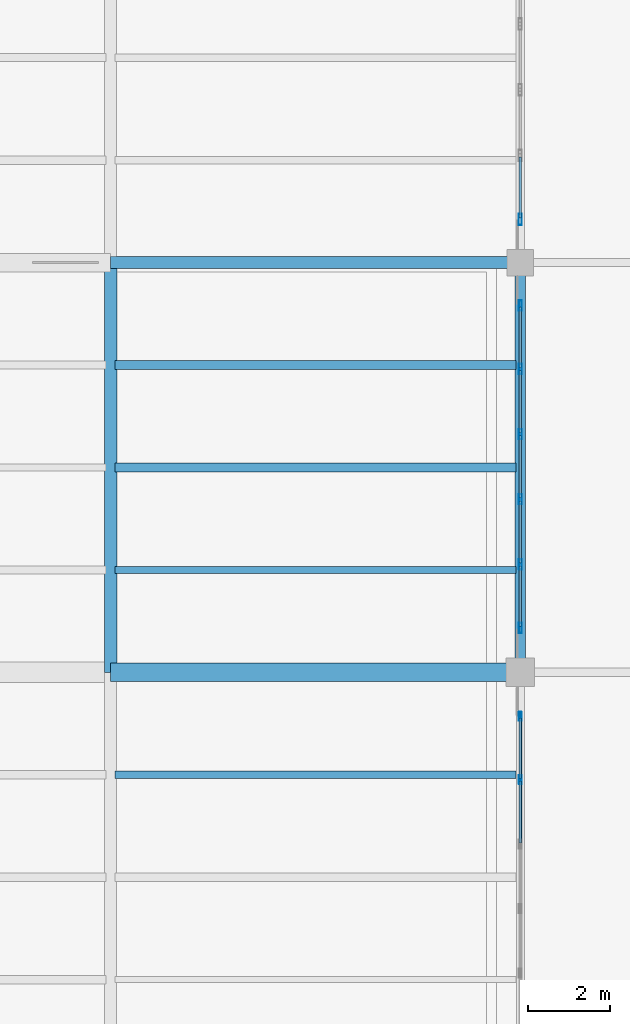
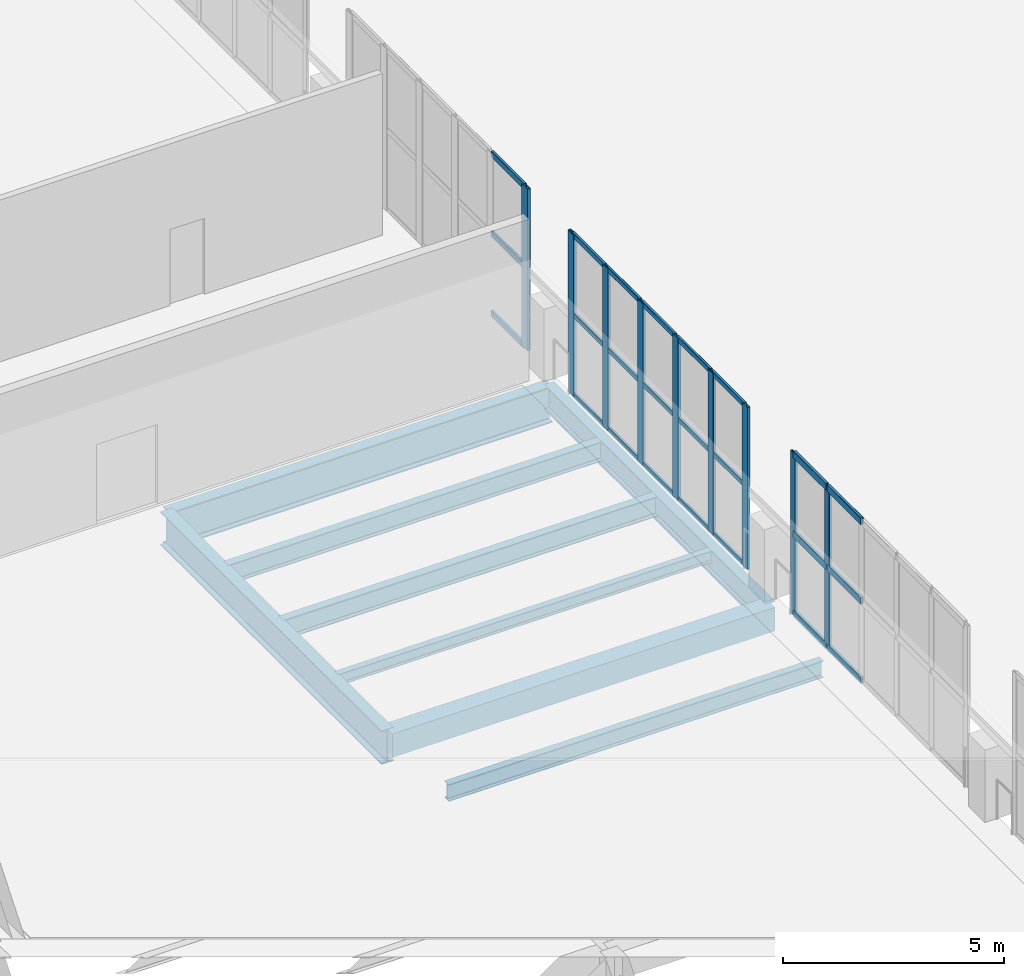
# One storey, part 75 of 136: 33 members, 8 beams, 3 elements without a shape of their own.
"""IFC4 building model written with IfcOpenShell, lengths in metres."""

from ifc_helpers import new_model, si_unit, direction, frame, origin, origin_2d, place, context, subcontext, project, spatial, rectangle, hollow_rectangle, i_section, extrude, material, layer, layer_set, material_profile, profile_set, type_object, element, aggregate, save


model = new_model("IFC4")

# Units and contexts
model_context = context("Model", 3, precision=1e-05, world=origin(), true_north=direction((0.0, 1.0)))
body_context = subcontext(model_context, "Body", "Model", "MODEL_VIEW")
ifc_project = project(units=[si_unit("LENGTHUNIT", "METRE"), si_unit("AREAUNIT", "SQUARE_METRE"), si_unit("VOLUMEUNIT", "CUBIC_METRE"), si_unit("PLANEANGLEUNIT", "RADIAN"), si_unit("MASSUNIT", "GRAM", prefix="KILO")], contexts=[model_context])

# Site, building, storey
site_placement = place(None, origin())
site = spatial("IfcSite", under=ifc_project, at=site_placement, CompositionType="ELEMENT")
building_placement = place(site_placement, origin())
building = spatial("IfcBuilding", under=site, at=building_placement, Name="Brinegate Civic Arena", CompositionType="ELEMENT")
storey_placement = place(building_placement, frame((0.0, 0.0, 5.39990234375)))
storey = spatial("IfcBuildingStorey", under=building, at=storey_placement, Name="L01", CompositionType="ELEMENT", Elevation=5.39990234375)

# Curtain wall, members
ifc_material_1 = material(Name="Marine grade aluminium", Category="aluminium")
ifc_layer = layer(ifc_material_1, 0.18505859375, Name="Marine grade aluminium")
ifc_layer_set = layer_set([ifc_layer], Name="Marine grade aluminium")
curtain_wall_type = type_object("IfcCurtainWallType", Name="CW-WING-GLAZED-03", PredefinedType="USERDEFINED", material=ifc_layer_set)
curtain_wall_1_placement = place(storey_placement, origin())
curtain_wall_1 = element("IfcCurtainWall", 1, at=curtain_wall_1_placement, inside=storey, type_object=curtain_wall_type, Name="Curtain Wall CWA-035", ObjectType="GLAZED CURTAIN WALL", PredefinedType="USERDEFINED")
ifc_material_profile_1 = material_profile(ifc_material_1, hollow_rectangle(XDim=0.06494140625, YDim=0.219970703125, WallThickness=0.006103515625, InnerFilletRadius=0.00390625, OuterFilletRadius=0.008056640625, at=origin_2d()), Name="MUL65X220")
ifc_profile_set_1 = profile_set([ifc_material_profile_1], Name="Marine grade aluminium")
member_type_1 = type_object("IfcMemberType", Name="CW-MULLION-65X220", PredefinedType="MULLION", material=ifc_profile_set_1)
member_1_placement = place(storey_placement, frame((190.0, 49.3798828125, 0.0), z_axis=(0.0, 0.0, 1.0), x_axis=(-1.0, 0.0, 0.0)))
member_1 = element("IfcMember", 2, at=member_1_placement, type_object=member_type_1, Name="CWA-035 mullion 5", PredefinedType="MULLION", context=body_context, shape_type="SweptSolid", body=[
    extrude(hollow_rectangle(XDim=0.06494140625, YDim=0.219970703125, WallThickness=0.006103515625, InnerFilletRadius=0.00390625, OuterFilletRadius=0.008056640625, at=origin_2d()), origin(), (0.0, 0.0, 1.0), 4.47021484375),
])
member_2_placement = place(storey_placement, frame((190.0, 50.922607421875, 0.0), z_axis=(0.0, 0.0, 1.0), x_axis=(-1.0, 0.0, 0.0)))
member_2 = element("IfcMember", 3, at=member_2_placement, type_object=member_type_1, Name="CWA-035 mullion 6", PredefinedType="MULLION", context=body_context, shape_type="SweptSolid", body=[
    extrude(hollow_rectangle(XDim=0.06494140625, YDim=0.219970703125, WallThickness=0.006103515625, InnerFilletRadius=0.00390625, OuterFilletRadius=0.008056640625, at=origin_2d()), origin(), (0.0, 0.0, 1.0), 4.47021484375),
])

curtain_wall_2_placement = place(storey_placement, origin())
curtain_wall_2 = element("IfcCurtainWall", 4, at=curtain_wall_2_placement, inside=storey, type_object=curtain_wall_type, Name="Curtain Wall CWA-036", ObjectType="GLAZED CURTAIN WALL", PredefinedType="USERDEFINED")
ifc_material_profile_2 = material_profile(ifc_material_1, hollow_rectangle(XDim=0.074951171875, YDim=0.25, WallThickness=0.006103515625, InnerFilletRadius=0.00390625, OuterFilletRadius=0.008056640625, at=origin_2d()), Name="MUL75X250")
ifc_profile_set_2 = profile_set([ifc_material_profile_2], Name="Marine grade aluminium")
member_type_2 = type_object("IfcMemberType", Name="CW-MULLION-75X250", PredefinedType="MULLION", material=ifc_profile_set_2)
member_3_placement = place(storey_placement, frame((190.0, 53.08251953125, 0.0), z_axis=(0.0, 0.0, 1.0), x_axis=(-1.0, 0.0, 0.0)))
member_3 = element("IfcMember", 5, at=member_3_placement, type_object=member_type_2, Name="CWA-036 mullion 1", PredefinedType="MULLION", context=body_context, shape_type="SweptSolid", body=[
    extrude(hollow_rectangle(XDim=0.074951171875, YDim=0.25, WallThickness=0.006103515625, InnerFilletRadius=0.00390625, OuterFilletRadius=0.008056640625, at=origin_2d()), origin(), (0.0, 0.0, 1.0), 4.47021484375),
])
member_4_placement = place(storey_placement, frame((190.0, 54.634033203125, 0.0), z_axis=(0.0, 0.0, 1.0), x_axis=(-1.0, 0.0, 0.0)))
member_4 = element("IfcMember", 6, at=member_4_placement, type_object=member_type_2, Name="CWA-036 mullion 2", PredefinedType="MULLION", context=body_context, shape_type="SweptSolid", body=[
    extrude(hollow_rectangle(XDim=0.074951171875, YDim=0.25, WallThickness=0.006103515625, InnerFilletRadius=0.00390625, OuterFilletRadius=0.008056640625, at=origin_2d()), origin(), (0.0, 0.0, 1.0), 4.47021484375),
])
member_5_placement = place(storey_placement, frame((190.0, 56.222900390625, 0.0), z_axis=(0.0, 0.0, 1.0), x_axis=(-1.0, 0.0, 0.0)))
member_5 = element("IfcMember", 7, at=member_5_placement, type_object=member_type_2, Name="CWA-036 mullion 3", PredefinedType="MULLION", context=body_context, shape_type="SweptSolid", body=[
    extrude(hollow_rectangle(XDim=0.074951171875, YDim=0.25, WallThickness=0.006103515625, InnerFilletRadius=0.00390625, OuterFilletRadius=0.008056640625, at=origin_2d()), origin(), (0.0, 0.0, 1.0), 4.47021484375),
])
member_6_placement = place(storey_placement, frame((190.0, 57.81201171875, 0.0), z_axis=(0.0, 0.0, 1.0), x_axis=(-1.0, 0.0, 0.0)))
member_6 = element("IfcMember", 8, at=member_6_placement, type_object=member_type_2, Name="CWA-036 mullion 4", PredefinedType="MULLION", context=body_context, shape_type="SweptSolid", body=[
    extrude(hollow_rectangle(XDim=0.074951171875, YDim=0.25, WallThickness=0.006103515625, InnerFilletRadius=0.00390625, OuterFilletRadius=0.008056640625, at=origin_2d()), origin(), (0.0, 0.0, 1.0), 4.47021484375),
])
member_7_placement = place(storey_placement, frame((190.0, 59.40087890625, 0.0), z_axis=(0.0, 0.0, 1.0), x_axis=(-1.0, 0.0, 0.0)))
member_7 = element("IfcMember", 9, at=member_7_placement, type_object=member_type_2, Name="CWA-036 mullion 5", PredefinedType="MULLION", context=body_context, shape_type="SweptSolid", body=[
    extrude(hollow_rectangle(XDim=0.074951171875, YDim=0.25, WallThickness=0.006103515625, InnerFilletRadius=0.00390625, OuterFilletRadius=0.008056640625, at=origin_2d()), origin(), (0.0, 0.0, 1.0), 4.47021484375),
])
member_8_placement = place(storey_placement, frame((190.0, 60.952392578125, 0.0), z_axis=(0.0, 0.0, 1.0), x_axis=(-1.0, 0.0, 0.0)))
member_8 = element("IfcMember", 10, at=member_8_placement, type_object=member_type_2, Name="CWA-036 mullion 6", PredefinedType="MULLION", context=body_context, shape_type="SweptSolid", body=[
    extrude(hollow_rectangle(XDim=0.074951171875, YDim=0.25, WallThickness=0.006103515625, InnerFilletRadius=0.00390625, OuterFilletRadius=0.008056640625, at=origin_2d()), origin(), (0.0, 0.0, 1.0), 4.47021484375),
])

# Curtain wall, member
curtain_wall_3_placement = place(storey_placement, origin())
curtain_wall_3 = element("IfcCurtainWall", 11, at=curtain_wall_3_placement, inside=storey, type_object=curtain_wall_type, Name="Curtain Wall CWA-037", ObjectType="GLAZED CURTAIN WALL", PredefinedType="USERDEFINED")
ifc_material_profile_3 = material_profile(ifc_material_1, hollow_rectangle(XDim=0.080078125, YDim=0.280029296875, WallThickness=0.007080078125, InnerFilletRadius=0.0048828125, OuterFilletRadius=0.010009765625, at=origin_2d()), Name="MUL80X280")
ifc_profile_set_3 = profile_set([ifc_material_profile_3], Name="Marine grade aluminium")
member_type_3 = type_object("IfcMemberType", Name="CW-MULLION-80X280", PredefinedType="MULLION", material=ifc_profile_set_3)
member_9_placement = place(storey_placement, frame((190.0, 63.050048828125, 0.0), z_axis=(0.0, 0.0, 1.0), x_axis=(-1.0, 0.0, 0.0)))
member_9 = element("IfcMember", 12, at=member_9_placement, type_object=member_type_3, Name="CWA-037 mullion 1", PredefinedType="MULLION", context=body_context, shape_type="SweptSolid", body=[
    extrude(hollow_rectangle(XDim=0.080078125, YDim=0.280029296875, WallThickness=0.007080078125, InnerFilletRadius=0.0048828125, OuterFilletRadius=0.010009765625, at=origin_2d()), origin(), (0.0, 0.0, 1.0), 4.47021484375),
])

# Member
ifc_material_profile_4 = material_profile(ifc_material_1, hollow_rectangle(XDim=0.06494140625, YDim=0.139892578125, WallThickness=0.0048828125, InnerFilletRadius=0.00390625, OuterFilletRadius=0.008056640625, at=origin_2d()), Name="TRN65X140")
ifc_profile_set_4 = profile_set([ifc_material_profile_4], Name="Marine grade aluminium")
member_type_4 = type_object("IfcMemberType", Name="CW-TRANSOM-65X140", PredefinedType="USERDEFINED", material=ifc_profile_set_4)
member_10_placement = place(storey_placement, frame((190.0, 53.1201171875, 0.03271484375), z_axis=(0.0, 1.0, 0.0), x_axis=(-1.0, 0.0, 0.0)))
member_10 = element("IfcMember", 13, at=member_10_placement, type_object=member_type_4, Name="CWA-036 transom 1.1", ObjectType="TRANSOM", PredefinedType="USERDEFINED", context=body_context, shape_type="SweptSolid", body=[
    extrude(hollow_rectangle(XDim=0.06494140625, YDim=0.139892578125, WallThickness=0.0048828125, InnerFilletRadius=0.00390625, OuterFilletRadius=0.008056640625, at=origin_2d()), origin(), (0.0, 0.0, 1.0), 1.476318359375),
])

member_11_placement = place(storey_placement, frame((190.0, 53.1201171875, 2.235107421875), z_axis=(0.0, 1.0, 0.0), x_axis=(-1.0, 0.0, 0.0)))
member_11 = element("IfcMember", 14, at=member_11_placement, type_object=member_type_4, Name="CWA-036 transom 1.2", ObjectType="TRANSOM", PredefinedType="USERDEFINED", context=body_context, shape_type="SweptSolid", body=[
    extrude(hollow_rectangle(XDim=0.06494140625, YDim=0.139892578125, WallThickness=0.0048828125, InnerFilletRadius=0.00390625, OuterFilletRadius=0.008056640625, at=origin_2d()), origin(), (0.0, 0.0, 1.0), 1.476318359375),
])

member_12_placement = place(storey_placement, frame((190.0, 53.1201171875, 4.4375), z_axis=(0.0, 1.0, 0.0), x_axis=(-1.0, 0.0, 0.0)))
member_12 = element("IfcMember", 15, at=member_12_placement, type_object=member_type_4, Name="CWA-036 transom 1.3", ObjectType="TRANSOM", PredefinedType="USERDEFINED", context=body_context, shape_type="SweptSolid", body=[
    extrude(hollow_rectangle(XDim=0.06494140625, YDim=0.139892578125, WallThickness=0.0048828125, InnerFilletRadius=0.00390625, OuterFilletRadius=0.008056640625, at=origin_2d()), origin(), (0.0, 0.0, 1.0), 1.476318359375),
])

member_13_placement = place(storey_placement, frame((190.0, 54.67138671875, 0.03271484375), z_axis=(0.0, 1.0, 0.0), x_axis=(-1.0, 0.0, 0.0)))
member_13 = element("IfcMember", 16, at=member_13_placement, type_object=member_type_4, Name="CWA-036 transom 2.1", ObjectType="TRANSOM", PredefinedType="USERDEFINED", context=body_context, shape_type="SweptSolid", body=[
    extrude(hollow_rectangle(XDim=0.06494140625, YDim=0.139892578125, WallThickness=0.0048828125, InnerFilletRadius=0.00390625, OuterFilletRadius=0.008056640625, at=origin_2d()), origin(), (0.0, 0.0, 1.0), 1.51416015625),
])

member_14_placement = place(storey_placement, frame((190.0, 54.67138671875, 2.235107421875), z_axis=(0.0, 1.0, 0.0), x_axis=(-1.0, 0.0, 0.0)))
member_14 = element("IfcMember", 17, at=member_14_placement, type_object=member_type_4, Name="CWA-036 transom 2.2", ObjectType="TRANSOM", PredefinedType="USERDEFINED", context=body_context, shape_type="SweptSolid", body=[
    extrude(hollow_rectangle(XDim=0.06494140625, YDim=0.139892578125, WallThickness=0.0048828125, InnerFilletRadius=0.00390625, OuterFilletRadius=0.008056640625, at=origin_2d()), origin(), (0.0, 0.0, 1.0), 1.51416015625),
])

member_15_placement = place(storey_placement, frame((190.0, 54.67138671875, 4.4375), z_axis=(0.0, 1.0, 0.0), x_axis=(-1.0, 0.0, 0.0)))
member_15 = element("IfcMember", 18, at=member_15_placement, type_object=member_type_4, Name="CWA-036 transom 2.3", ObjectType="TRANSOM", PredefinedType="USERDEFINED", context=body_context, shape_type="SweptSolid", body=[
    extrude(hollow_rectangle(XDim=0.06494140625, YDim=0.139892578125, WallThickness=0.0048828125, InnerFilletRadius=0.00390625, OuterFilletRadius=0.008056640625, at=origin_2d()), origin(), (0.0, 0.0, 1.0), 1.51416015625),
])

member_16_placement = place(storey_placement, frame((190.0, 56.260498046875, 0.03271484375), z_axis=(0.0, 1.0, 0.0), x_axis=(-1.0, 0.0, 0.0)))
member_16 = element("IfcMember", 19, at=member_16_placement, type_object=member_type_4, Name="CWA-036 transom 3.1", ObjectType="TRANSOM", PredefinedType="USERDEFINED", context=body_context, shape_type="SweptSolid", body=[
    extrude(hollow_rectangle(XDim=0.06494140625, YDim=0.139892578125, WallThickness=0.0048828125, InnerFilletRadius=0.00390625, OuterFilletRadius=0.008056640625, at=origin_2d()), origin(), (0.0, 0.0, 1.0), 1.513916015625),
])

member_17_placement = place(storey_placement, frame((190.0, 56.260498046875, 2.235107421875), z_axis=(0.0, 1.0, 0.0), x_axis=(-1.0, 0.0, 0.0)))
member_17 = element("IfcMember", 20, at=member_17_placement, type_object=member_type_4, Name="CWA-036 transom 3.2", ObjectType="TRANSOM", PredefinedType="USERDEFINED", context=body_context, shape_type="SweptSolid", body=[
    extrude(hollow_rectangle(XDim=0.06494140625, YDim=0.139892578125, WallThickness=0.0048828125, InnerFilletRadius=0.00390625, OuterFilletRadius=0.008056640625, at=origin_2d()), origin(), (0.0, 0.0, 1.0), 1.513916015625),
])

member_18_placement = place(storey_placement, frame((190.0, 56.260498046875, 4.4375), z_axis=(0.0, 1.0, 0.0), x_axis=(-1.0, 0.0, 0.0)))
member_18 = element("IfcMember", 21, at=member_18_placement, type_object=member_type_4, Name="CWA-036 transom 3.3", ObjectType="TRANSOM", PredefinedType="USERDEFINED", context=body_context, shape_type="SweptSolid", body=[
    extrude(hollow_rectangle(XDim=0.06494140625, YDim=0.139892578125, WallThickness=0.0048828125, InnerFilletRadius=0.00390625, OuterFilletRadius=0.008056640625, at=origin_2d()), origin(), (0.0, 0.0, 1.0), 1.513916015625),
])

member_19_placement = place(storey_placement, frame((190.0, 57.849609375, 0.03271484375), z_axis=(0.0, 1.0, 0.0), x_axis=(-1.0, 0.0, 0.0)))
member_19 = element("IfcMember", 22, at=member_19_placement, type_object=member_type_4, Name="CWA-036 transom 4.1", ObjectType="TRANSOM", PredefinedType="USERDEFINED", context=body_context, shape_type="SweptSolid", body=[
    extrude(hollow_rectangle(XDim=0.06494140625, YDim=0.139892578125, WallThickness=0.0048828125, InnerFilletRadius=0.00390625, OuterFilletRadius=0.008056640625, at=origin_2d()), origin(), (0.0, 0.0, 1.0), 1.513916015625),
])

member_20_placement = place(storey_placement, frame((190.0, 57.849609375, 2.235107421875), z_axis=(0.0, 1.0, 0.0), x_axis=(-1.0, 0.0, 0.0)))
member_20 = element("IfcMember", 23, at=member_20_placement, type_object=member_type_4, Name="CWA-036 transom 4.2", ObjectType="TRANSOM", PredefinedType="USERDEFINED", context=body_context, shape_type="SweptSolid", body=[
    extrude(hollow_rectangle(XDim=0.06494140625, YDim=0.139892578125, WallThickness=0.0048828125, InnerFilletRadius=0.00390625, OuterFilletRadius=0.008056640625, at=origin_2d()), origin(), (0.0, 0.0, 1.0), 1.513916015625),
])

member_21_placement = place(storey_placement, frame((190.0, 57.849609375, 4.4375), z_axis=(0.0, 1.0, 0.0), x_axis=(-1.0, 0.0, 0.0)))
member_21 = element("IfcMember", 24, at=member_21_placement, type_object=member_type_4, Name="CWA-036 transom 4.3", ObjectType="TRANSOM", PredefinedType="USERDEFINED", context=body_context, shape_type="SweptSolid", body=[
    extrude(hollow_rectangle(XDim=0.06494140625, YDim=0.139892578125, WallThickness=0.0048828125, InnerFilletRadius=0.00390625, OuterFilletRadius=0.008056640625, at=origin_2d()), origin(), (0.0, 0.0, 1.0), 1.513916015625),
])

member_22_placement = place(storey_placement, frame((190.0, 59.4384765625, 0.03271484375), z_axis=(0.0, 1.0, 0.0), x_axis=(-1.0, 0.0, 0.0)))
member_22 = element("IfcMember", 25, at=member_22_placement, type_object=member_type_4, Name="CWA-036 transom 5.1", ObjectType="TRANSOM", PredefinedType="USERDEFINED", context=body_context, shape_type="SweptSolid", body=[
    extrude(hollow_rectangle(XDim=0.06494140625, YDim=0.139892578125, WallThickness=0.0048828125, InnerFilletRadius=0.00390625, OuterFilletRadius=0.008056640625, at=origin_2d()), origin(), (0.0, 0.0, 1.0), 1.4765625),
])

member_23_placement = place(storey_placement, frame((190.0, 59.4384765625, 2.235107421875), z_axis=(0.0, 1.0, 0.0), x_axis=(-1.0, 0.0, 0.0)))
member_23 = element("IfcMember", 26, at=member_23_placement, type_object=member_type_4, Name="CWA-036 transom 5.2", ObjectType="TRANSOM", PredefinedType="USERDEFINED", context=body_context, shape_type="SweptSolid", body=[
    extrude(hollow_rectangle(XDim=0.06494140625, YDim=0.139892578125, WallThickness=0.0048828125, InnerFilletRadius=0.00390625, OuterFilletRadius=0.008056640625, at=origin_2d()), origin(), (0.0, 0.0, 1.0), 1.4765625),
])

member_24_placement = place(storey_placement, frame((190.0, 59.4384765625, 4.4375), z_axis=(0.0, 1.0, 0.0), x_axis=(-1.0, 0.0, 0.0)))
member_24 = element("IfcMember", 27, at=member_24_placement, type_object=member_type_4, Name="CWA-036 transom 5.3", ObjectType="TRANSOM", PredefinedType="USERDEFINED", context=body_context, shape_type="SweptSolid", body=[
    extrude(hollow_rectangle(XDim=0.06494140625, YDim=0.139892578125, WallThickness=0.0048828125, InnerFilletRadius=0.00390625, OuterFilletRadius=0.008056640625, at=origin_2d()), origin(), (0.0, 0.0, 1.0), 1.4765625),
])

aggregate(curtain_wall_2, [member_3, member_4, member_5, member_6, member_7, member_8, member_10, member_11, member_12, member_13, member_14, member_15, member_16, member_17, member_18, member_19, member_20, member_21, member_22, member_23, member_24])

ifc_material_profile_5 = material_profile(ifc_material_1, hollow_rectangle(XDim=0.06494140625, YDim=0.1650390625, WallThickness=0.0048828125, InnerFilletRadius=0.00390625, OuterFilletRadius=0.008056640625, at=origin_2d()), Name="TRN65X165")
ifc_profile_set_5 = profile_set([ifc_material_profile_5], Name="Marine grade aluminium")
member_type_5 = type_object("IfcMemberType", Name="CW-TRANSOM-65X165", PredefinedType="USERDEFINED", material=ifc_profile_set_5)
member_25_placement = place(storey_placement, frame((190.0, 63.090087890625, 0.03271484375), z_axis=(0.0, 1.0, 0.0), x_axis=(-1.0, 0.0, 0.0)))
member_25 = element("IfcMember", 28, at=member_25_placement, type_object=member_type_5, Name="CWA-037 transom 1.1", ObjectType="TRANSOM", PredefinedType="USERDEFINED", context=body_context, shape_type="SweptSolid", body=[
    extrude(hollow_rectangle(XDim=0.06494140625, YDim=0.1650390625, WallThickness=0.0048828125, InnerFilletRadius=0.00390625, OuterFilletRadius=0.008056640625, at=origin_2d()), origin(), (0.0, 0.0, 1.0), 1.483154296875),
])

member_26_placement = place(storey_placement, frame((190.0, 63.090087890625, 2.235107421875), z_axis=(0.0, 1.0, 0.0), x_axis=(-1.0, 0.0, 0.0)))
member_26 = element("IfcMember", 29, at=member_26_placement, type_object=member_type_5, Name="CWA-037 transom 1.2", ObjectType="TRANSOM", PredefinedType="USERDEFINED", context=body_context, shape_type="SweptSolid", body=[
    extrude(hollow_rectangle(XDim=0.06494140625, YDim=0.1650390625, WallThickness=0.0048828125, InnerFilletRadius=0.00390625, OuterFilletRadius=0.008056640625, at=origin_2d()), origin(), (0.0, 0.0, 1.0), 1.483154296875),
])

member_27_placement = place(storey_placement, frame((190.0, 63.090087890625, 4.4375), z_axis=(0.0, 1.0, 0.0), x_axis=(-1.0, 0.0, 0.0)))
member_27 = element("IfcMember", 30, at=member_27_placement, type_object=member_type_5, Name="CWA-037 transom 1.3", ObjectType="TRANSOM", PredefinedType="USERDEFINED", context=body_context, shape_type="SweptSolid", body=[
    extrude(hollow_rectangle(XDim=0.06494140625, YDim=0.1650390625, WallThickness=0.0048828125, InnerFilletRadius=0.00390625, OuterFilletRadius=0.008056640625, at=origin_2d()), origin(), (0.0, 0.0, 1.0), 1.483154296875),
])

aggregate(curtain_wall_3, [member_9, member_25, member_26, member_27])

ifc_material_profile_6 = material_profile(ifc_material_1, hollow_rectangle(XDim=0.074951171875, YDim=0.18994140625, WallThickness=0.006103515625, InnerFilletRadius=0.00390625, OuterFilletRadius=0.008056640625, at=origin_2d()), Name="TRN75X190")
ifc_profile_set_6 = profile_set([ifc_material_profile_6], Name="Marine grade aluminium")
member_type_6 = type_object("IfcMemberType", Name="CW-TRANSOM-75X190", PredefinedType="USERDEFINED", material=ifc_profile_set_6)
member_28_placement = place(storey_placement, frame((190.0, 47.83740234375, 0.03759765625), z_axis=(0.0, 1.0, 0.0), x_axis=(-1.0, 0.0, 0.0)))
member_28 = element("IfcMember", 31, at=member_28_placement, type_object=member_type_6, Name="CWA-035 transom 4.1", ObjectType="TRANSOM", PredefinedType="USERDEFINED", context=body_context, shape_type="SweptSolid", body=[
    extrude(hollow_rectangle(XDim=0.074951171875, YDim=0.18994140625, WallThickness=0.006103515625, InnerFilletRadius=0.00390625, OuterFilletRadius=0.008056640625, at=origin_2d()), origin(), (0.0, 0.0, 1.0), 1.510009765625),
])

member_29_placement = place(storey_placement, frame((190.0, 47.83740234375, 2.235107421875), z_axis=(0.0, 1.0, 0.0), x_axis=(-1.0, 0.0, 0.0)))
member_29 = element("IfcMember", 32, at=member_29_placement, type_object=member_type_6, Name="CWA-035 transom 4.2", ObjectType="TRANSOM", PredefinedType="USERDEFINED", context=body_context, shape_type="SweptSolid", body=[
    extrude(hollow_rectangle(XDim=0.074951171875, YDim=0.18994140625, WallThickness=0.006103515625, InnerFilletRadius=0.00390625, OuterFilletRadius=0.008056640625, at=origin_2d()), origin(), (0.0, 0.0, 1.0), 1.510009765625),
])

member_30_placement = place(storey_placement, frame((190.0, 47.83740234375, 4.4326171875), z_axis=(0.0, 1.0, 0.0), x_axis=(-1.0, 0.0, 0.0)))
member_30 = element("IfcMember", 33, at=member_30_placement, type_object=member_type_6, Name="CWA-035 transom 4.3", ObjectType="TRANSOM", PredefinedType="USERDEFINED", context=body_context, shape_type="SweptSolid", body=[
    extrude(hollow_rectangle(XDim=0.074951171875, YDim=0.18994140625, WallThickness=0.006103515625, InnerFilletRadius=0.00390625, OuterFilletRadius=0.008056640625, at=origin_2d()), origin(), (0.0, 0.0, 1.0), 1.510009765625),
])

member_31_placement = place(storey_placement, frame((190.0, 49.41259765625, 0.03759765625), z_axis=(0.0, 1.0, 0.0), x_axis=(-1.0, 0.0, 0.0)))
member_31 = element("IfcMember", 34, at=member_31_placement, type_object=member_type_6, Name="CWA-035 transom 5.1", ObjectType="TRANSOM", PredefinedType="USERDEFINED", context=body_context, shape_type="SweptSolid", body=[
    extrude(hollow_rectangle(XDim=0.074951171875, YDim=0.18994140625, WallThickness=0.006103515625, InnerFilletRadius=0.00390625, OuterFilletRadius=0.008056640625, at=origin_2d()), origin(), (0.0, 0.0, 1.0), 1.477294921875),
])

member_32_placement = place(storey_placement, frame((190.0, 49.41259765625, 2.235107421875), z_axis=(0.0, 1.0, 0.0), x_axis=(-1.0, 0.0, 0.0)))
member_32 = element("IfcMember", 35, at=member_32_placement, type_object=member_type_6, Name="CWA-035 transom 5.2", ObjectType="TRANSOM", PredefinedType="USERDEFINED", context=body_context, shape_type="SweptSolid", body=[
    extrude(hollow_rectangle(XDim=0.074951171875, YDim=0.18994140625, WallThickness=0.006103515625, InnerFilletRadius=0.00390625, OuterFilletRadius=0.008056640625, at=origin_2d()), origin(), (0.0, 0.0, 1.0), 1.477294921875),
])

member_33_placement = place(storey_placement, frame((190.0, 49.41259765625, 4.4326171875), z_axis=(0.0, 1.0, 0.0), x_axis=(-1.0, 0.0, 0.0)))
member_33 = element("IfcMember", 36, at=member_33_placement, type_object=member_type_6, Name="CWA-035 transom 5.3", ObjectType="TRANSOM", PredefinedType="USERDEFINED", context=body_context, shape_type="SweptSolid", body=[
    extrude(hollow_rectangle(XDim=0.074951171875, YDim=0.18994140625, WallThickness=0.006103515625, InnerFilletRadius=0.00390625, OuterFilletRadius=0.008056640625, at=origin_2d()), origin(), (0.0, 0.0, 1.0), 1.477294921875),
])

aggregate(curtain_wall_1, [member_1, member_2, member_28, member_29, member_30, member_31, member_32, member_33])

# Beams
ifc_material_2 = material(Name="Steel S355", Category="steel")
ifc_material_profile_7 = material_profile(ifc_material_2, i_section(OverallWidth=0.300048828125, OverallDepth=1.0, WebThickness=0.01904296875, FlangeThickness=0.031982421875, FilletRadius=0.02392578125, at=origin_2d()), Name="W1000X321")
ifc_profile_set_7 = profile_set([ifc_material_profile_7], Name="Steel S355")
beam_type_1 = type_object("IfcBeamType", Name="GIRDER-W1000X321", PredefinedType="BEAM", material=ifc_profile_set_7)
beam_1_placement = place(storey_placement, frame((180.0, 62.0, -0.83984375), z_axis=(1.0, 0.0, 0.0), x_axis=(0.0, 1.0, 0.0)))
element("IfcBeam", 37, at=beam_1_placement, inside=storey, type_object=beam_type_1, Name="Floor Girder BM-L01-GX-15-06", PredefinedType="BEAM", context=body_context, shape_type="SweptSolid", body=[
    extrude(i_section(OverallWidth=0.300048828125, OverallDepth=1.0, WebThickness=0.01904296875, FlangeThickness=0.031982421875, FilletRadius=0.02392578125, at=origin_2d()), origin(), (0.0, 0.0, 1.0), 10.0),
])
ifc_material_profile_8 = material_profile(ifc_material_2, i_section(OverallWidth=0.30810546875, OverallDepth=0.927001953125, WebThickness=0.01904296875, FlangeThickness=0.031982421875, FilletRadius=0.02392578125, at=origin_2d()), Name="W920X289")
ifc_profile_set_8 = profile_set([ifc_material_profile_8], Name="Steel S355")
beam_type_2 = type_object("IfcBeamType", Name="GIRDER-W920X289", PredefinedType="BEAM", material=ifc_profile_set_8)
beam_2_placement = place(storey_placement, frame((180.0, 52.0, -0.802978515625), z_axis=(0.0, 1.0, 0.0), x_axis=(-1.0, 0.0, 0.0)))
element("IfcBeam", 38, at=beam_2_placement, inside=storey, type_object=beam_type_2, Name="Floor Girder BM-L01-GY-15-05", PredefinedType="BEAM", context=body_context, shape_type="SweptSolid", body=[
    extrude(i_section(OverallWidth=0.30810546875, OverallDepth=0.927001953125, WebThickness=0.01904296875, FlangeThickness=0.031982421875, FilletRadius=0.02392578125, at=origin_2d()), origin(), (0.0, 0.0, 1.0), 10.0),
])
ifc_material_profile_9 = material_profile(ifc_material_2, i_section(OverallWidth=0.1669921875, OverallDepth=0.31689453125, WebThickness=0.008056640625, FlangeThickness=0.012939453125, FilletRadius=0.012939453125, at=origin_2d()), Name="W310X52")
ifc_profile_set_9 = profile_set([ifc_material_profile_9], Name="Steel S355")
beam_type_3 = type_object("IfcBeamType", Name="JOIST-W310X52", PredefinedType="JOIST", material=ifc_profile_set_9)
beam_3_placement = place(storey_placement, frame((180.10595703125, 54.5, -0.497802734375), z_axis=(1.0, 0.0, 0.0), x_axis=(0.0, 1.0, 0.0)))
element("IfcBeam", 39, at=beam_3_placement, inside=storey, type_object=beam_type_3, Name="Secondary Joist BM-L01-JX-15-05-1", PredefinedType="JOIST", context=body_context, shape_type="SweptSolid", body=[
    extrude(i_section(OverallWidth=0.1669921875, OverallDepth=0.31689453125, WebThickness=0.008056640625, FlangeThickness=0.012939453125, FilletRadius=0.012939453125, at=origin_2d()), origin(), (0.0, 0.0, 1.0), 9.7880859375),
])
ifc_material_profile_10 = material_profile(ifc_material_2, i_section(OverallWidth=0.193115234375, OverallDepth=0.466064453125, WebThickness=0.010986328125, FlangeThickness=0.01904296875, FilletRadius=0.014892578125, at=origin_2d()), Name="W460X97")
ifc_profile_set_10 = profile_set([ifc_material_profile_10], Name="Steel S355")
beam_type_4 = type_object("IfcBeamType", Name="JOIST-W460X97", PredefinedType="JOIST", material=ifc_profile_set_10)
beam_4_placement = place(storey_placement, frame((180.10595703125, 49.5, -0.572998046875), z_axis=(1.0, 0.0, 0.0), x_axis=(0.0, 1.0, 0.0)))
element("IfcBeam", 40, at=beam_4_placement, inside=storey, type_object=beam_type_4, Name="Secondary Joist BM-L01-JX-15-04-3", PredefinedType="JOIST", context=body_context, shape_type="SweptSolid", body=[
    extrude(i_section(OverallWidth=0.193115234375, OverallDepth=0.466064453125, WebThickness=0.010986328125, FlangeThickness=0.01904296875, FilletRadius=0.014892578125, at=origin_2d()), origin(), (0.0, 0.0, 1.0), 9.7880859375),
])
ifc_material_profile_11 = material_profile(ifc_material_2, i_section(OverallWidth=0.2109375, OverallDepth=0.5390625, WebThickness=0.011962890625, FlangeThickness=0.01904296875, FilletRadius=0.01611328125, at=origin_2d()), Name="W530X109")
ifc_profile_set_11 = profile_set([ifc_material_profile_11], Name="Steel S355")
beam_type_5 = type_object("IfcBeamType", Name="JOIST-W530X109", PredefinedType="JOIST", material=ifc_profile_set_11)
beam_5_placement = place(storey_placement, frame((180.10595703125, 59.5, -0.60888671875), z_axis=(1.0, 0.0, 0.0), x_axis=(0.0, 1.0, 0.0)))
element("IfcBeam", 41, at=beam_5_placement, inside=storey, type_object=beam_type_5, Name="Secondary Joist BM-L01-JX-15-05-3", PredefinedType="JOIST", context=body_context, shape_type="SweptSolid", body=[
    extrude(i_section(OverallWidth=0.2109375, OverallDepth=0.5390625, WebThickness=0.011962890625, FlangeThickness=0.01904296875, FilletRadius=0.01611328125, at=origin_2d()), origin(), (0.0, 0.0, 1.0), 9.7880859375),
])
ifc_material_profile_12 = material_profile(ifc_material_2, i_section(OverallWidth=0.214111328125, OverallDepth=0.549072265625, WebThickness=0.014892578125, FlangeThickness=0.02392578125, FilletRadius=0.01611328125, at=origin_2d()), Name="W530X138")
ifc_profile_set_12 = profile_set([ifc_material_profile_12], Name="Steel S355")
beam_type_6 = type_object("IfcBeamType", Name="JOIST-W530X138", PredefinedType="JOIST", material=ifc_profile_set_12)
beam_6_placement = place(storey_placement, frame((180.10595703125, 57.0, -0.614013671875), z_axis=(1.0, 0.0, 0.0), x_axis=(0.0, 1.0, 0.0)))
element("IfcBeam", 42, at=beam_6_placement, inside=storey, type_object=beam_type_6, Name="Secondary Joist BM-L01-JX-15-05-2", PredefinedType="JOIST", context=body_context, shape_type="SweptSolid", body=[
    extrude(i_section(OverallWidth=0.214111328125, OverallDepth=0.549072265625, WebThickness=0.014892578125, FlangeThickness=0.02392578125, FilletRadius=0.01611328125, at=origin_2d()), origin(), (0.0, 0.0, 1.0), 9.7880859375),
])
ifc_material_3 = material(Name="Concrete C50/60", Category="concrete")
ifc_material_profile_13 = material_profile(ifc_material_3, rectangle(XDim=0.449951171875, YDim=0.64990234375, at=origin_2d()), Name="RCB450X650")
ifc_profile_set_13 = profile_set([ifc_material_profile_13], Name="Concrete C50/60")
beam_type_7 = type_object("IfcBeamType", Name="RCG-450X650", PredefinedType="BEAM", material=ifc_profile_set_13)
beam_7_placement = place(storey_placement, frame((180.0, 52.0, -0.664794921875), z_axis=(1.0, 0.0, 0.0), x_axis=(0.0, 1.0, 0.0)))
element("IfcBeam", 43, at=beam_7_placement, inside=storey, type_object=beam_type_7, Name="Floor Girder BM-L01-GX-15-05", PredefinedType="BEAM", context=body_context, shape_type="SweptSolid", body=[
    extrude(rectangle(XDim=0.449951171875, YDim=0.64990234375, at=origin_2d()), origin(), (0.0, 0.0, 1.0), 10.0),
])
ifc_material_profile_14 = material_profile(ifc_material_2, i_section(OverallWidth=0.256103515625, OverallDepth=0.693115234375, WebThickness=0.014892578125, FlangeThickness=0.02392578125, FilletRadius=0.01806640625, at=origin_2d()), Name="W690X170")
ifc_profile_set_14 = profile_set([ifc_material_profile_14], Name="Steel S355")
beam_type_8 = type_object("IfcBeamType", Name="SPANDREL-W690X170", PredefinedType="SPANDREL", material=ifc_profile_set_14)
beam_8_placement = place(storey_placement, frame((190.0, 52.0, -0.685791015625), z_axis=(0.0, 1.0, 0.0), x_axis=(-1.0, 0.0, 0.0)))
element("IfcBeam", 44, at=beam_8_placement, inside=storey, type_object=beam_type_8, Name="Floor Girder BM-L01-GY-16-05", PredefinedType="SPANDREL", context=body_context, shape_type="SweptSolid", body=[
    extrude(i_section(OverallWidth=0.256103515625, OverallDepth=0.693115234375, WebThickness=0.014892578125, FlangeThickness=0.02392578125, FilletRadius=0.01806640625, at=origin_2d()), origin(), (0.0, 0.0, 1.0), 10.0),
])

save(model, "model.ifc")
